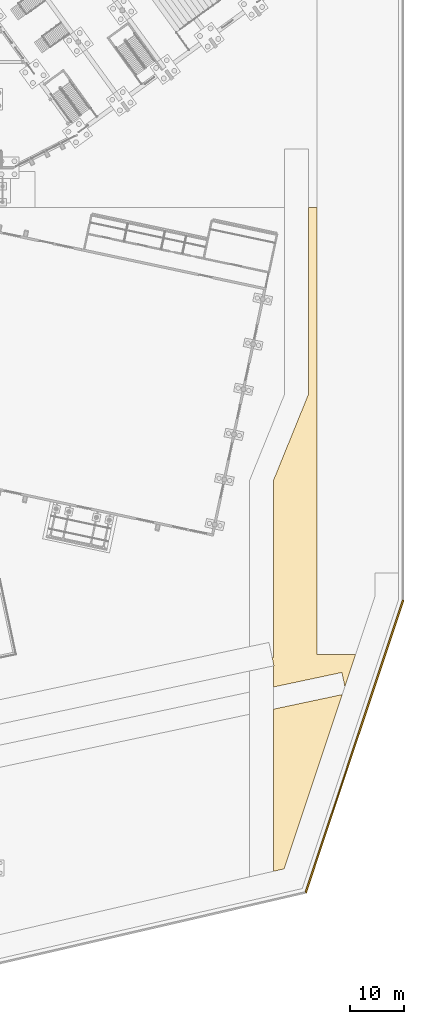
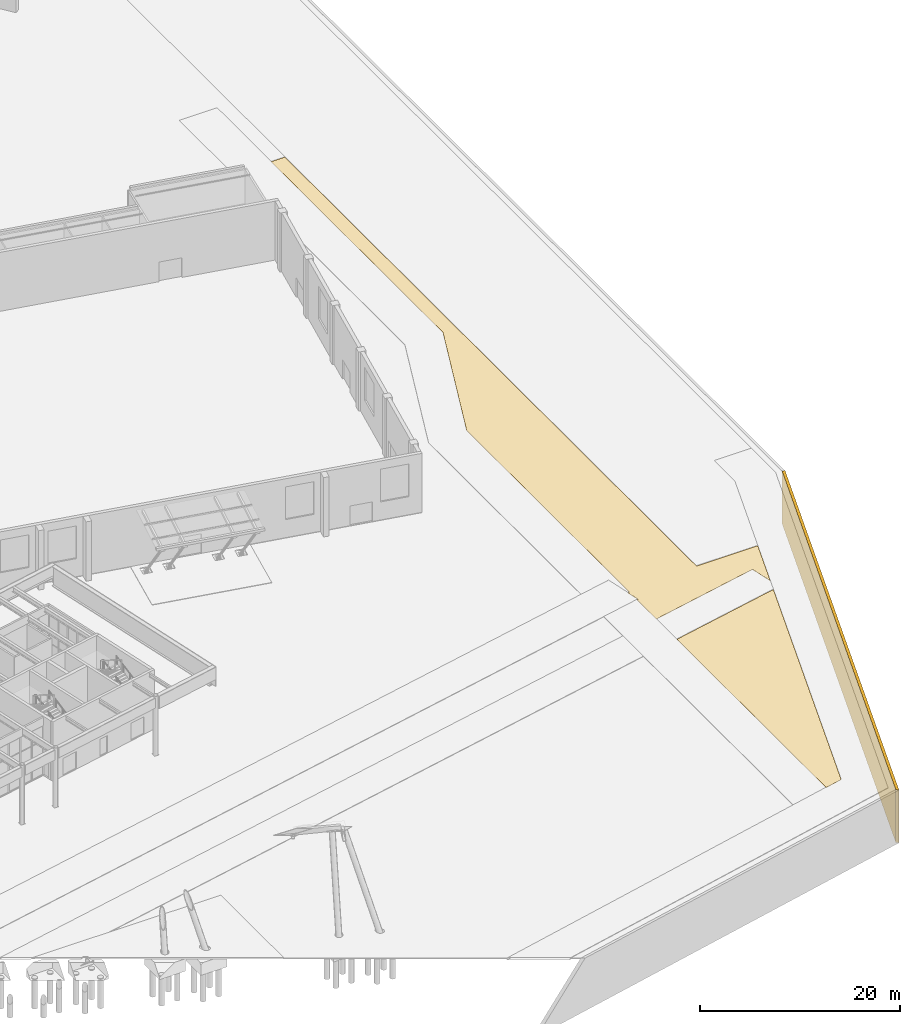
# One storey, part 236 of 239: 3 coverings.
"""IFC4 building model written with IfcOpenShell, lengths in metres."""

from ifc_helpers import new_model, si_unit, direction, frame, origin, place, context, subcontext, project, spatial, polyline, outline, extrude, material, layer, layer_set, type_object, element, save


model = new_model("IFC4")

# Units and contexts
model_context = context("Model", 3, precision=1e-05, world=origin(), true_north=direction((0.0, 1.0)))
body_context = subcontext(model_context, "Body", "Model", "MODEL_VIEW")
ifc_project = project(units=[si_unit("LENGTHUNIT", "METRE"), si_unit("AREAUNIT", "SQUARE_METRE"), si_unit("VOLUMEUNIT", "CUBIC_METRE"), si_unit("PLANEANGLEUNIT", "RADIAN"), si_unit("MASSUNIT", "GRAM", prefix="KILO")], contexts=[model_context])

# Site, building, storey
site_placement = place(None, origin())
site = spatial("IfcSite", under=ifc_project, at=site_placement, CompositionType="ELEMENT")
building_placement = place(site_placement, origin())
building = spatial("IfcBuilding", under=site, at=building_placement, Name="Okhra Congress Centre", CompositionType="ELEMENT")
storey_placement = place(building_placement, origin())
storey = spatial("IfcBuildingStorey", under=building, at=storey_placement, Name="L00", CompositionType="ELEMENT", Elevation=0.0)

# Coverings
ifc_material_1 = material(Name="Compacted engineered fill face with geotextile and turf")
ifc_layer_1 = layer(ifc_material_1, 0.300048828125)
ifc_layer_set_1 = layer_set([ifc_layer_1], Name="Site ground edge (engineered fill face)")
covering_type_1 = type_object("IfcCoveringType", Name="Site ground edge (engineered fill face)", PredefinedType="USERDEFINED", material=ifc_layer_set_1)
covering_1_placement = place(storey_placement, frame((0.0, 0.0, -6.5)))
element("IfcCovering", 1, at=covering_1_placement, inside=storey, type_object=covering_type_1, Name="Site ground edge (engineered fill face) 6", ObjectType="Site ground edge (engineered fill face)", PredefinedType="USERDEFINED", context=body_context, shape_type="SweptSolid", body=[
    extrude(outline(polyline([(272.0, 16.0), (290.0, 70.0), (289.699951171875, 70.048583984375), (271.7685546875, 16.25439453125), (272.0, 16.0)])), origin(), (0.0, 0.0, 1.0), 6.449951171875),
])
ifc_material_2 = material(Name="Compacted engineered fill with topsoil and grass or paving bed")
ifc_layer_2 = layer(ifc_material_2, 0.050048828125)
ifc_layer_set_2 = layer_set([ifc_layer_2], Name="Site ground surface (engineered fill and landscape)")
covering_type_2 = type_object("IfcCoveringType", Name="Site ground surface (engineered fill and landscape)", PredefinedType="FLOORING", material=ifc_layer_set_2)
covering_2_placement = place(storey_placement, frame((0.0, 0.0, -0.10009765625)))
element("IfcCovering", 2, at=covering_2_placement, inside=storey, type_object=covering_type_2, Name="Site ground surface (engineered fill and landscape) 5", PredefinedType="FLOORING", context=body_context, shape_type="SweptSolid", body=[
    extrude(outline(polyline([(267.910888671875, 20.49462890625), (278.617919921875, 52.615478515625), (265.900634765625, 49.912353515625), (265.900634765625, 20.029541015625), (267.910888671875, 20.49462890625)])), origin(), (0.0, 0.0, 1.0), 0.050048828125),
])
covering_3_placement = place(storey_placement, frame((0.0, 0.0, -0.10009765625)))
element("IfcCovering", 3, at=covering_3_placement, inside=storey, type_object=covering_type_2, Name="Site ground surface (engineered fill and landscape) 13", PredefinedType="FLOORING", context=body_context, shape_type="SweptSolid", body=[
    extrude(outline(polyline([(281.0791015625, 59.99951171875), (273.99951171875, 59.99951171875), (273.99951171875, 142.3994140625), (272.400634765625, 142.3994140625), (272.400634765625, 108.0), (265.900634765625, 92.0), (265.900634765625, 59.4150390625), (265.709716796875, 59.39501953125), (266.02490234375, 57.9130859375), (265.900634765625, 57.88671875), (265.900634765625, 54.0029296875), (278.552490234375, 56.692138671875), (279.10693359375, 54.0830078125), (281.0791015625, 59.99951171875)])), origin(), (0.0, 0.0, 1.0), 0.050048828125),
])

save(model, "model.ifc")
